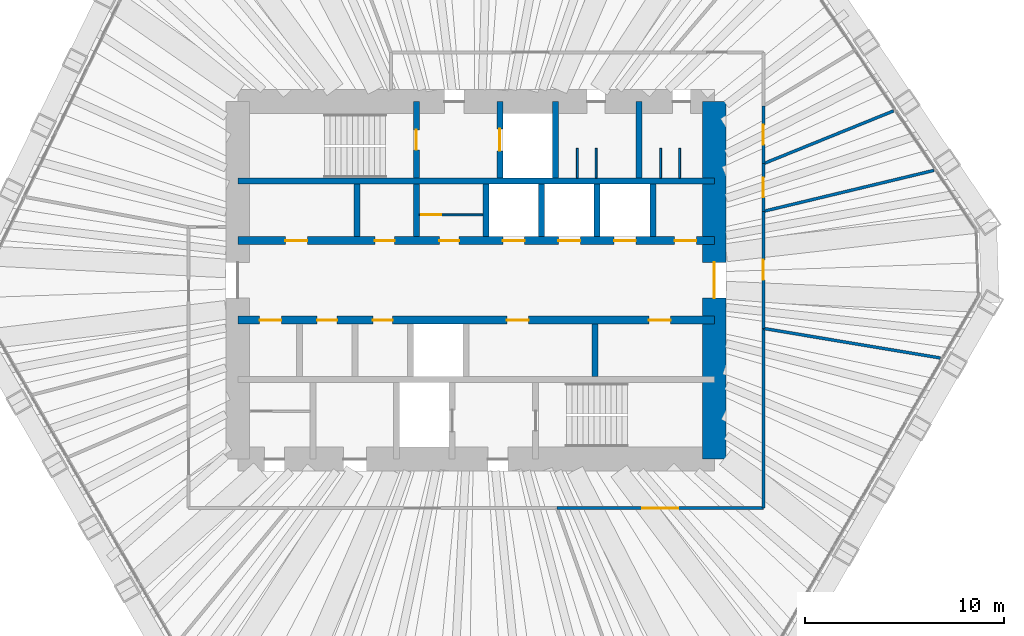
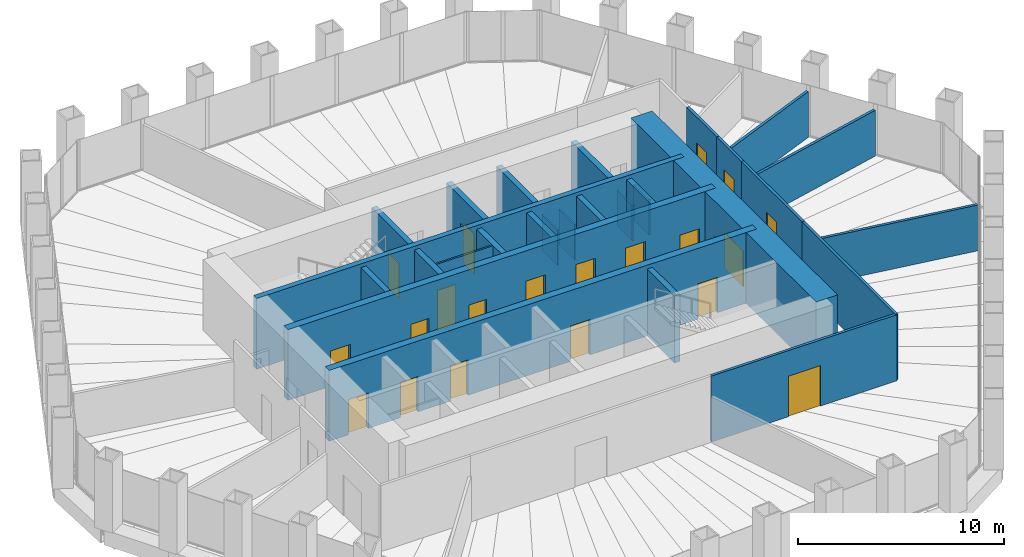
# One storey, part 10 of 12: 28 walls, 20 doors, 20 openings.
"""IFC4 building model written with IfcOpenShell, lengths in metres."""

from ifc_helpers import new_model, si_unit, direction, frame, frame_2d, origin, place, context, subcontext, project, spatial, rectangle, extrude, material, layer, layer_set, type_object, element, fill, save


model = new_model("IFC4")

# Units and contexts
model_context = context("Model", 3, precision=1e-05, world=origin(), true_north=direction((0.0, 1.0)))
body_context = subcontext(model_context, "Body", "Model", "MODEL_VIEW")
ifc_project = project(units=[si_unit("LENGTHUNIT", "METRE"), si_unit("AREAUNIT", "SQUARE_METRE"), si_unit("VOLUMEUNIT", "CUBIC_METRE"), si_unit("PLANEANGLEUNIT", "RADIAN"), si_unit("MASSUNIT", "GRAM", prefix="KILO")], contexts=[model_context])

# Site, building, storey
site_placement = place(None, origin())
site = spatial("IfcSite", under=ifc_project, at=site_placement, CompositionType="ELEMENT")
building_placement = place(site_placement, origin())
building = spatial("IfcBuilding", under=site, at=building_placement, Name="Qingtian Harvest Tower", CompositionType="ELEMENT")
storey_placement = place(building_placement, frame((0.0, 0.0, 251.800048828125)))
storey = spatial("IfcBuildingStorey", under=building, at=storey_placement, Name="L55", CompositionType="ELEMENT", Elevation=251.800048828125)

# Wall
ifc_material_1 = material(Name="Concrete fc' 70 MPa", Category="concrete")
ifc_layer_1 = layer(ifc_material_1, 0.300048828125)
ifc_layer_set_1 = layer_set([ifc_layer_1], Name="Core inner wall RC5 300")
wall_type_1 = type_object("IfcWallType", Name="Core inner wall RC5 300", PredefinedType="SHEAR", material=ifc_layer_set_1)
wall_1_placement = place(storey_placement, frame((-12.0, 5.0, 0.0), z_axis=(0.0, 0.0, 1.0), x_axis=(1.0, 0.0, 0.0)))
element("IfcWall", 1, at=wall_1_placement, inside=storey, type_object=wall_type_1, Name="Core wall IN5 L55", PredefinedType="SHEAR", context=body_context, shape_type="SweptSolid", body=[
    extrude(rectangle(XDim=24.0, YDim=0.300048828125, at=frame_2d((12.0, 0.0))), origin(), (0.0, 0.0, 1.0), 4.199951171875),
])

# Wall, openings, doors
ifc_material_2 = material(Name="Concrete fc' 70 MPa", Category="concrete")
ifc_layer_2 = layer(ifc_material_2, 0.39990234375)
ifc_layer_set_2 = layer_set([ifc_layer_2], Name="Core inner web RC6 400")
wall_type_2 = type_object("IfcWallType", Name="Core inner web RC6 400", PredefinedType="SHEAR", material=ifc_layer_set_2)
wall_2_placement = place(storey_placement, frame((-12.0, 2.0, 0.0), z_axis=(0.0, 0.0, 1.0), x_axis=(1.0, 0.0, 0.0)))
wall_2 = element("IfcWall", 2, at=wall_2_placement, inside=storey, type_object=wall_type_2, Name="Core wall IN2 L55", PredefinedType="SHEAR", context=body_context, shape_type="SweptSolid", body=[
    extrude(rectangle(XDim=24.0, YDim=0.39990234375, at=frame_2d((12.0, 0.0))), origin(), (0.0, 0.0, 1.0), 4.199951171875),
])
opening_1_placement = place(wall_2_placement, frame((2.39990234375, 0.0, 0.0)))
opening_1 = element("IfcOpeningElement", 3, at=opening_1_placement, cuts=wall_2, Name="Opening FD4", PredefinedType="OPENING", context=body_context, shape_type="SweptSolid", body=[
    extrude(rectangle(XDim=1.10009765625, YDim=2.10009765625, at=frame_2d((0.550048828125, 1.050048828125))), frame((0.0, 0.2099609375, 0.0), z_axis=(0.0, -1.0, 0.0), x_axis=(1.0, 0.0, 0.0)), (0.0, 0.0, 1.0), 0.419921875),
])
opening_2_placement = place(wall_2_placement, frame((22.0, 0.0, 0.0)))
opening_2 = element("IfcOpeningElement", 4, at=opening_2_placement, cuts=wall_2, Name="Opening FD4", PredefinedType="OPENING", context=body_context, shape_type="SweptSolid", body=[
    extrude(rectangle(XDim=1.10009765625, YDim=2.10009765625, at=frame_2d((0.550048828125, 1.050048828125))), frame((0.0, 0.2099609375, 0.0), z_axis=(0.0, -1.0, 0.0), x_axis=(1.0, 0.0, 0.0)), (0.0, 0.0, 1.0), 0.419921875),
])
opening_3_placement = place(wall_2_placement, frame((10.14990234375, 0.0, 0.0)))
opening_3 = element("IfcOpeningElement", 5, at=opening_3_placement, cuts=wall_2, Name="Opening FD1", PredefinedType="OPENING", context=body_context, shape_type="SweptSolid", body=[
    extrude(rectangle(XDim=1.0, YDim=2.10009765625, at=frame_2d((0.5, 1.050048828125))), frame((0.0, 0.2099609375, 0.0), z_axis=(0.0, -1.0, 0.0), x_axis=(1.0, 0.0, 0.0)), (0.0, 0.0, 1.0), 0.419921875),
])
opening_4_placement = place(wall_2_placement, frame((6.89990234375, 0.0, 0.0)))
opening_4 = element("IfcOpeningElement", 6, at=opening_4_placement, cuts=wall_2, Name="Opening FD1", PredefinedType="OPENING", context=body_context, shape_type="SweptSolid", body=[
    extrude(rectangle(XDim=1.0, YDim=2.10009765625, at=frame_2d((0.5, 1.050048828125))), frame((0.0, 0.2099609375, 0.0), z_axis=(0.0, -1.0, 0.0), x_axis=(1.0, 0.0, 0.0)), (0.0, 0.0, 1.0), 0.419921875),
])
opening_5_placement = place(wall_2_placement, frame((13.35009765625, 0.0, 0.0)))
opening_5 = element("IfcOpeningElement", 7, at=opening_5_placement, cuts=wall_2, Name="Opening LD1", PredefinedType="OPENING", context=body_context, shape_type="SweptSolid", body=[
    extrude(rectangle(XDim=1.10009765625, YDim=2.39990234375, at=frame_2d((0.550048828125, 1.199951171875))), frame((0.0, 0.2099609375, 0.0), z_axis=(0.0, -1.0, 0.0), x_axis=(1.0, 0.0, 0.0)), (0.0, 0.0, 1.0), 0.419921875),
])
opening_6_placement = place(wall_2_placement, frame((16.14990234375, 0.0, 0.0)))
opening_6 = element("IfcOpeningElement", 8, at=opening_6_placement, cuts=wall_2, Name="Opening LD1", PredefinedType="OPENING", context=body_context, shape_type="SweptSolid", body=[
    extrude(rectangle(XDim=1.10009765625, YDim=2.39990234375, at=frame_2d((0.550048828125, 1.199951171875))), frame((0.0, 0.2099609375, 0.0), z_axis=(0.0, -1.0, 0.0), x_axis=(1.0, 0.0, 0.0)), (0.0, 0.0, 1.0), 0.419921875),
])
opening_7_placement = place(wall_2_placement, frame((18.949951171875, 0.0, 0.0)))
opening_7 = element("IfcOpeningElement", 9, at=opening_7_placement, cuts=wall_2, Name="Opening LD1", PredefinedType="OPENING", context=body_context, shape_type="SweptSolid", body=[
    extrude(rectangle(XDim=1.10009765625, YDim=2.39990234375, at=frame_2d((0.550048828125, 1.199951171875))), frame((0.0, 0.2099609375, 0.0), z_axis=(0.0, -1.0, 0.0), x_axis=(1.0, 0.0, 0.0)), (0.0, 0.0, 1.0), 0.419921875),
])
ifc_material_3 = material(Name="Steel-faced door leaf", Category="steel")
door_type_1 = type_object("IfcDoorType", Name="Fire door FD1 single 1 HR", OperationType="SINGLE_SWING_LEFT", PredefinedType="DOOR", material=ifc_material_3)
door_1_placement = place(opening_3_placement, origin())
door_1 = element("IfcDoor", 10, at=door_1_placement, inside=storey, type_object=door_type_1, Name="STA door L55", OperationType="SINGLE_SWING_LEFT", OverallHeight=2.10009765625, OverallWidth=1.0, PredefinedType="DOOR", context=body_context, shape_type="SweptSolid", body=[
    extrude(rectangle(XDim=1.0, YDim=2.10009765625, at=frame_2d((0.5, 1.050048828125))), frame((0.0, 0.02490234375, 0.0), z_axis=(0.0, -1.0, 0.0), x_axis=(1.0, 0.0, 0.0)), (0.0, 0.0, 1.0), 0.050048828125),
])
fill(opening_3, door_1)
door_2_placement = place(opening_4_placement, origin())
door_2 = element("IfcDoor", 11, at=door_2_placement, inside=storey, type_object=door_type_1, Name="Linen store door L55", OperationType="SINGLE_SWING_LEFT", OverallHeight=2.10009765625, OverallWidth=1.0, PredefinedType="DOOR", context=body_context, shape_type="SweptSolid", body=[
    extrude(rectangle(XDim=1.0, YDim=2.10009765625, at=frame_2d((0.5, 1.050048828125))), frame((0.0, 0.02490234375, 0.0), z_axis=(0.0, -1.0, 0.0), x_axis=(1.0, 0.0, 0.0)), (0.0, 0.0, 1.0), 0.050048828125),
])
fill(opening_4, door_2)
ifc_material_4 = material(Name="Steel-faced door leaf", Category="steel")
door_type_2 = type_object("IfcDoorType", Name="Fire door FD4 single 2 HR", OperationType="SINGLE_SWING_LEFT", PredefinedType="DOOR", material=ifc_material_4)
door_3_placement = place(opening_1_placement, origin())
door_3 = element("IfcDoor", 12, at=door_3_placement, inside=storey, type_object=door_type_2, Name="RA door L55", OperationType="SINGLE_SWING_LEFT", OverallHeight=2.10009765625, OverallWidth=1.10009765625, PredefinedType="DOOR", context=body_context, shape_type="SweptSolid", body=[
    extrude(rectangle(XDim=1.10009765625, YDim=2.10009765625, at=frame_2d((0.550048828125, 1.050048828125))), frame((0.0, 0.02490234375, 0.0), z_axis=(0.0, -1.0, 0.0), x_axis=(1.0, 0.0, 0.0)), (0.0, 0.0, 1.0), 0.050048828125),
])
fill(opening_1, door_3)
door_4_placement = place(opening_2_placement, origin())
door_4 = element("IfcDoor", 13, at=door_4_placement, inside=storey, type_object=door_type_2, Name="AHU door L55", OperationType="SINGLE_SWING_RIGHT", OverallHeight=2.10009765625, OverallWidth=1.10009765625, PredefinedType="DOOR", context=body_context, shape_type="SweptSolid", body=[
    extrude(rectangle(XDim=1.10009765625, YDim=2.10009765625, at=frame_2d((0.550048828125, 1.050048828125))), frame((0.0, 0.02490234375, 0.0), z_axis=(0.0, -1.0, 0.0), x_axis=(1.0, 0.0, 0.0)), (0.0, 0.0, 1.0), 0.050048828125),
])
fill(opening_2, door_4)
ifc_material_5 = material(Name="Stainless steel lift landing door", Category="steel")
door_type_3 = type_object("IfcDoorType", Name="Lift landing door LD1 1 HR", OperationType="DOUBLE_DOOR_SLIDING", PredefinedType="DOOR", material=ifc_material_5)
door_5_placement = place(opening_5_placement, origin())
door_5 = element("IfcDoor", 14, at=door_5_placement, inside=storey, type_object=door_type_3, Name="PLC1 landing door L55", OperationType="DOUBLE_DOOR_SLIDING", OverallHeight=2.39990234375, OverallWidth=1.10009765625, PredefinedType="DOOR", context=body_context, shape_type="SweptSolid", body=[
    extrude(rectangle(XDim=1.10009765625, YDim=2.39990234375, at=frame_2d((0.550048828125, 1.199951171875))), frame((0.0, 0.02490234375, 0.0), z_axis=(0.0, -1.0, 0.0), x_axis=(1.0, 0.0, 0.0)), (0.0, 0.0, 1.0), 0.050048828125),
])
fill(opening_5, door_5)
door_6_placement = place(opening_6_placement, origin())
door_6 = element("IfcDoor", 15, at=door_6_placement, inside=storey, type_object=door_type_3, Name="PLC2 landing door L55", OperationType="DOUBLE_DOOR_SLIDING", OverallHeight=2.39990234375, OverallWidth=1.10009765625, PredefinedType="DOOR", context=body_context, shape_type="SweptSolid", body=[
    extrude(rectangle(XDim=1.10009765625, YDim=2.39990234375, at=frame_2d((0.550048828125, 1.199951171875))), frame((0.0, 0.02490234375, 0.0), z_axis=(0.0, -1.0, 0.0), x_axis=(1.0, 0.0, 0.0)), (0.0, 0.0, 1.0), 0.050048828125),
])
fill(opening_6, door_6)
door_7_placement = place(opening_7_placement, origin())
door_7 = element("IfcDoor", 16, at=door_7_placement, inside=storey, type_object=door_type_3, Name="PLC3 landing door L55", OperationType="DOUBLE_DOOR_SLIDING", OverallHeight=2.39990234375, OverallWidth=1.10009765625, PredefinedType="DOOR", context=body_context, shape_type="SweptSolid", body=[
    extrude(rectangle(XDim=1.10009765625, YDim=2.39990234375, at=frame_2d((0.550048828125, 1.199951171875))), frame((0.0, 0.02490234375, 0.0), z_axis=(0.0, -1.0, 0.0), x_axis=(1.0, 0.0, 0.0)), (0.0, 0.0, 1.0), 0.050048828125),
])
fill(opening_7, door_7)

wall_3_placement = place(storey_placement, frame((-12.0, -2.0, 0.0), z_axis=(0.0, 0.0, 1.0), x_axis=(1.0, 0.0, 0.0)))
wall_3 = element("IfcWall", 17, at=wall_3_placement, inside=storey, type_object=wall_type_2, Name="Core wall IS2 L55", PredefinedType="SHEAR", context=body_context, shape_type="SweptSolid", body=[
    extrude(rectangle(XDim=24.0, YDim=0.39990234375, at=frame_2d((12.0, 0.0))), origin(), (0.0, 0.0, 1.0), 4.199951171875),
])
opening_8_placement = place(wall_3_placement, frame((1.10009765625, 0.0, 0.0)))
opening_8 = element("IfcOpeningElement", 18, at=opening_8_placement, cuts=wall_3, Name="Opening FD4", PredefinedType="OPENING", context=body_context, shape_type="SweptSolid", body=[
    extrude(rectangle(XDim=1.10009765625, YDim=2.10009765625, at=frame_2d((0.550048828125, 1.050048828125))), frame((0.0, 0.2099609375, 0.0), z_axis=(0.0, -1.0, 0.0), x_axis=(1.0, 0.0, 0.0)), (0.0, 0.0, 1.0), 0.419921875),
])
opening_9_placement = place(wall_3_placement, frame((13.550048828125, 0.0, 0.0)))
opening_9 = element("IfcOpeningElement", 19, at=opening_9_placement, cuts=wall_3, Name="Opening FD4", PredefinedType="OPENING", context=body_context, shape_type="SweptSolid", body=[
    extrude(rectangle(XDim=1.10009765625, YDim=2.10009765625, at=frame_2d((0.550048828125, 1.050048828125))), frame((0.0, 0.2099609375, 0.0), z_axis=(0.0, -1.0, 0.0), x_axis=(1.0, 0.0, 0.0)), (0.0, 0.0, 1.0), 0.419921875),
])
opening_10_placement = place(wall_3_placement, frame((20.699951171875, 0.0, 0.0)))
opening_10 = element("IfcOpeningElement", 20, at=opening_10_placement, cuts=wall_3, Name="Opening FD4", PredefinedType="OPENING", context=body_context, shape_type="SweptSolid", body=[
    extrude(rectangle(XDim=1.10009765625, YDim=2.10009765625, at=frame_2d((0.550048828125, 1.050048828125))), frame((0.0, 0.2099609375, 0.0), z_axis=(0.0, -1.0, 0.0), x_axis=(1.0, 0.0, 0.0)), (0.0, 0.0, 1.0), 0.419921875),
])
opening_11_placement = place(wall_3_placement, frame((4.0, 0.0, 0.0)))
opening_11 = element("IfcOpeningElement", 21, at=opening_11_placement, cuts=wall_3, Name="Opening FD1", PredefinedType="OPENING", context=body_context, shape_type="SweptSolid", body=[
    extrude(rectangle(XDim=1.0, YDim=2.10009765625, at=frame_2d((0.5, 1.050048828125))), frame((0.0, 0.2099609375, 0.0), z_axis=(0.0, -1.0, 0.0), x_axis=(1.0, 0.0, 0.0)), (0.0, 0.0, 1.0), 0.419921875),
])
opening_12_placement = place(wall_3_placement, frame((6.800048828125, 0.0, 0.0)))
opening_12 = element("IfcOpeningElement", 22, at=opening_12_placement, cuts=wall_3, Name="Opening FD1", PredefinedType="OPENING", context=body_context, shape_type="SweptSolid", body=[
    extrude(rectangle(XDim=1.0, YDim=2.10009765625, at=frame_2d((0.5, 1.050048828125))), frame((0.0, 0.2099609375, 0.0), z_axis=(0.0, -1.0, 0.0), x_axis=(1.0, 0.0, 0.0)), (0.0, 0.0, 1.0), 0.419921875),
])
door_8_placement = place(opening_11_placement, origin())
door_8 = element("IfcDoor", 23, at=door_8_placement, inside=storey, type_object=door_type_1, Name="IT room door L55", OperationType="SINGLE_SWING_RIGHT", OverallHeight=2.10009765625, OverallWidth=1.0, PredefinedType="DOOR", context=body_context, shape_type="SweptSolid", body=[
    extrude(rectangle(XDim=1.0, YDim=2.10009765625, at=frame_2d((0.5, 1.050048828125))), frame((0.0, 0.02490234375, 0.0), z_axis=(0.0, -1.0, 0.0), x_axis=(1.0, 0.0, 0.0)), (0.0, 0.0, 1.0), 0.050048828125),
])
fill(opening_11, door_8)
door_9_placement = place(opening_12_placement, origin())
door_9 = element("IfcDoor", 24, at=door_9_placement, inside=storey, type_object=door_type_1, Name="Store door L55", OperationType="SINGLE_SWING_RIGHT", OverallHeight=2.10009765625, OverallWidth=1.0, PredefinedType="DOOR", context=body_context, shape_type="SweptSolid", body=[
    extrude(rectangle(XDim=1.0, YDim=2.10009765625, at=frame_2d((0.5, 1.050048828125))), frame((0.0, 0.02490234375, 0.0), z_axis=(0.0, -1.0, 0.0), x_axis=(1.0, 0.0, 0.0)), (0.0, 0.0, 1.0), 0.050048828125),
])
fill(opening_12, door_9)
door_10_placement = place(opening_8_placement, origin())
door_10 = element("IfcDoor", 25, at=door_10_placement, inside=storey, type_object=door_type_2, Name="RB door L55", OperationType="SINGLE_SWING_RIGHT", OverallHeight=2.10009765625, OverallWidth=1.10009765625, PredefinedType="DOOR", context=body_context, shape_type="SweptSolid", body=[
    extrude(rectangle(XDim=1.10009765625, YDim=2.10009765625, at=frame_2d((0.550048828125, 1.050048828125))), frame((0.0, 0.02490234375, 0.0), z_axis=(0.0, -1.0, 0.0), x_axis=(1.0, 0.0, 0.0)), (0.0, 0.0, 1.0), 0.050048828125),
])
fill(opening_8, door_10)
door_11_placement = place(opening_9_placement, origin())
door_11 = element("IfcDoor", 26, at=door_11_placement, inside=storey, type_object=door_type_2, Name="ELEC door L55", OperationType="SINGLE_SWING_LEFT", OverallHeight=2.10009765625, OverallWidth=1.10009765625, PredefinedType="DOOR", context=body_context, shape_type="SweptSolid", body=[
    extrude(rectangle(XDim=1.10009765625, YDim=2.10009765625, at=frame_2d((0.550048828125, 1.050048828125))), frame((0.0, 0.02490234375, 0.0), z_axis=(0.0, -1.0, 0.0), x_axis=(1.0, 0.0, 0.0)), (0.0, 0.0, 1.0), 0.050048828125),
])
fill(opening_9, door_11)
door_12_placement = place(opening_10_placement, origin())
door_12 = element("IfcDoor", 27, at=door_12_placement, inside=storey, type_object=door_type_2, Name="DUCT door L55", OperationType="SINGLE_SWING_LEFT", OverallHeight=2.10009765625, OverallWidth=1.10009765625, PredefinedType="DOOR", context=body_context, shape_type="SweptSolid", body=[
    extrude(rectangle(XDim=1.10009765625, YDim=2.10009765625, at=frame_2d((0.550048828125, 1.050048828125))), frame((0.0, 0.02490234375, 0.0), z_axis=(0.0, -1.0, 0.0), x_axis=(1.0, 0.0, 0.0)), (0.0, 0.0, 1.0), 0.050048828125),
])
fill(opening_10, door_12)

# Wall, opening, door
ifc_material_6 = material(Name="Precast concrete shaft panel", Category="concrete")
ifc_layer_3 = layer(ifc_material_6, 0.300048828125)
ifc_layer_set_3 = layer_set([ifc_layer_3], Name="Core shaft partition SW1 300")
wall_type_3 = type_object("IfcWallType", Name="Core shaft partition SW1 300", PredefinedType="PARTITIONING", material=ifc_layer_set_3)
wall_4_placement = place(storey_placement, frame((-3.0, 5.14990234375, 0.0), z_axis=(0.0, 0.0, 1.0), x_axis=(0.0, 1.0, 0.0)))
wall_4 = element("IfcWall", 28, at=wall_4_placement, inside=storey, type_object=wall_type_3, Name="Core shaft partition XN1 L55", PredefinedType="PARTITIONING", context=body_context, shape_type="SweptSolid", body=[
    extrude(rectangle(XDim=3.85009765625, YDim=0.300048828125, at=frame_2d((1.925048828125, 0.0))), origin(), (0.0, 0.0, 1.0), 3.97998046875),
])
opening_13_placement = place(wall_4_placement, frame((1.425048828125, 0.0, 0.0)))
opening_13 = element("IfcOpeningElement", 29, at=opening_13_placement, cuts=wall_4, Name="Opening FD1", PredefinedType="OPENING", context=body_context, shape_type="SweptSolid", body=[
    extrude(rectangle(XDim=1.0, YDim=2.10009765625, at=frame_2d((0.5, 1.050048828125))), frame((0.0, 0.159912109375, 0.0), z_axis=(0.0, -1.0, 0.0), x_axis=(1.0, 0.0, 0.0)), (0.0, 0.0, 1.0), 0.320068359375),
])
door_13_placement = place(opening_13_placement, origin())
door_13 = element("IfcDoor", 30, at=door_13_placement, inside=storey, type_object=door_type_1, Name="S1 door L55", OperationType="SINGLE_SWING_LEFT", OverallHeight=2.10009765625, OverallWidth=1.0, PredefinedType="DOOR", context=body_context, shape_type="SweptSolid", body=[
    extrude(rectangle(XDim=1.0, YDim=2.10009765625, at=frame_2d((0.5, 1.050048828125))), frame((0.0, 0.02490234375, 0.0), z_axis=(0.0, -1.0, 0.0), x_axis=(1.0, 0.0, 0.0)), (0.0, 0.0, 1.0), 0.050048828125),
])
fill(opening_13, door_13)

wall_5_placement = place(storey_placement, frame((1.199951171875, 5.14990234375, 0.0), z_axis=(0.0, 0.0, 1.0), x_axis=(0.0, 1.0, 0.0)))
wall_5 = element("IfcWall", 31, at=wall_5_placement, inside=storey, type_object=wall_type_3, Name="Core shaft partition XN2 L55", PredefinedType="PARTITIONING", context=body_context, shape_type="SweptSolid", body=[
    extrude(rectangle(XDim=3.85009765625, YDim=0.300048828125, at=frame_2d((1.925048828125, 0.0))), origin(), (0.0, 0.0, 1.0), 3.97998046875),
])
opening_14_placement = place(wall_5_placement, frame((1.375, 0.0, 0.0)))
opening_14 = element("IfcOpeningElement", 32, at=opening_14_placement, cuts=wall_5, Name="Opening LD1", PredefinedType="OPENING", context=body_context, shape_type="SweptSolid", body=[
    extrude(rectangle(XDim=1.10009765625, YDim=2.39990234375, at=frame_2d((0.550048828125, 1.199951171875))), frame((0.0, 0.159912109375, 0.0), z_axis=(0.0, -1.0, 0.0), x_axis=(1.0, 0.0, 0.0)), (0.0, 0.0, 1.0), 0.320068359375),
])
door_14_placement = place(opening_14_placement, origin())
door_14 = element("IfcDoor", 33, at=door_14_placement, inside=storey, type_object=door_type_3, Name="FL1 landing door L55", OperationType="DOUBLE_DOOR_SLIDING", OverallHeight=2.39990234375, OverallWidth=1.10009765625, PredefinedType="DOOR", context=body_context, shape_type="SweptSolid", body=[
    extrude(rectangle(XDim=1.10009765625, YDim=2.39990234375, at=frame_2d((0.550048828125, 1.199951171875))), frame((0.0, 0.02490234375, 0.0), z_axis=(0.0, -1.0, 0.0), x_axis=(1.0, 0.0, 0.0)), (0.0, 0.0, 1.0), 0.050048828125),
])
fill(opening_14, door_14)

# Walls
for number, where, z_axis, x_axis, name in (
    (34, (4.0, 5.14990234375, 0.0), (0.0, 0.0, 1.0), (0.0, 1.0, 0.0), "Core shaft partition XN3 L55"),
    (35, (8.199951171875, 5.14990234375, 0.0), (0.0, 0.0, 1.0), (0.0, 1.0, 0.0), "Core shaft partition XN4 L55"),
):
    element("IfcWall", number, at=place(storey_placement, frame(where, z_axis=z_axis, x_axis=x_axis)), inside=storey, type_object=wall_type_3, Name=name, PredefinedType="PARTITIONING", context=body_context, shape_type="SweptSolid", body=[
        extrude(rectangle(XDim=3.85009765625, YDim=0.300048828125, at=frame_2d((1.925048828125, 0.0))), origin(), (0.0, 0.0, 1.0), 3.97998046875),
    ])
for number, where, z_axis, x_axis, name in (
    (36, (-6.0, 2.199951171875, 0.0), (0.0, 0.0, 1.0), (0.0, 1.0, 0.0), "Core shaft partition XA1 L55"),
    (37, (-3.0, 2.199951171875, 0.0), (0.0, 0.0, 1.0), (0.0, 1.0, 0.0), "Core shaft partition XA2 L55"),
    (38, (0.5, 2.199951171875, 0.0), (0.0, 0.0, 1.0), (0.0, 1.0, 0.0), "Core shaft partition XA3 L55"),
    (39, (3.300048828125, 2.199951171875, 0.0), (0.0, 0.0, 1.0), (0.0, 1.0, 0.0), "Core shaft partition XA4 L55"),
    (40, (6.10009765625, 2.199951171875, 0.0), (0.0, 0.0, 1.0), (0.0, 1.0, 0.0), "Core shaft partition XA5 L55"),
    (41, (8.89990234375, 2.199951171875, 0.0), (0.0, 0.0, 1.0), (0.0, 1.0, 0.0), "Core shaft partition XA6 L55"),
    (42, (6.0, -4.85009765625, 0.0), (0.0, 0.0, 1.0), (0.0, 1.0, 0.0), "Core shaft partition XB5 L55"),
):
    element("IfcWall", number, at=place(storey_placement, frame(where, z_axis=z_axis, x_axis=x_axis)), inside=storey, type_object=wall_type_3, Name=name, PredefinedType="PARTITIONING", context=body_context, shape_type="SweptSolid", body=[
        extrude(rectangle(XDim=2.650146484375, YDim=0.300048828125, at=frame_2d((1.3251953125, 0.0))), origin(), (0.0, 0.0, 1.0), 3.97998046875),
    ])

# Wall, opening, door
ifc_material_7 = material(Name="Concrete fc' 70 MPa", Category="concrete")
ifc_layer_4 = layer(ifc_material_7, 1.199951171875)
ifc_layer_set_4 = layer_set([ifc_layer_4], Name="Core wall RC2 1200")
wall_type_4 = type_object("IfcWallType", Name="Core wall RC2 1200", PredefinedType="SHEAR", material=ifc_layer_set_4)
wall_6_placement = place(storey_placement, frame((12.0, -9.0, 0.0), z_axis=(0.0, 0.0, 1.0), x_axis=(0.0, 1.0, 0.0)))
wall_6 = element("IfcWall", 43, at=wall_6_placement, inside=storey, type_object=wall_type_4, Name="Core wall CE L55", PredefinedType="SHEAR", context=body_context, shape_type="SweptSolid", body=[
    extrude(rectangle(XDim=18.0, YDim=1.199951171875, at=frame_2d((9.0, 0.0))), origin(), (0.0, 0.0, 1.0), 4.199951171875),
])
opening_15_placement = place(wall_6_placement, frame((8.10009765625, 0.0, 0.0)))
opening_15 = element("IfcOpeningElement", 44, at=opening_15_placement, cuts=wall_6, Name="Opening FD2", PredefinedType="OPENING", context=body_context, shape_type="SweptSolid", body=[
    extrude(rectangle(XDim=1.800048828125, YDim=2.10009765625, at=frame_2d((0.89990234375, 1.050048828125))), frame((0.0, 0.60986328125, 0.0), z_axis=(0.0, -1.0, 0.0), x_axis=(1.0, 0.0, 0.0)), (0.0, 0.0, 1.0), 1.219970703125),
])
ifc_material_8 = material(Name="Steel-faced door leaf", Category="steel")
door_type_4 = type_object("IfcDoorType", Name="Fire door FD2 double 1 HR", OperationType="DOUBLE_DOOR_DOUBLE_SWING", PredefinedType="DOOR", material=ifc_material_8)
door_15_placement = place(opening_15_placement, origin())
door_15 = element("IfcDoor", 45, at=door_15_placement, inside=storey, type_object=door_type_4, Name="LOBBY-E door L55", OperationType="DOUBLE_DOOR_DOUBLE_SWING", OverallHeight=2.10009765625, OverallWidth=1.800048828125, PredefinedType="DOOR", context=body_context, shape_type="SweptSolid", body=[
    extrude(rectangle(XDim=1.800048828125, YDim=2.10009765625, at=frame_2d((0.89990234375, 1.050048828125))), frame((0.0, 0.02490234375, 0.0), z_axis=(0.0, -1.0, 0.0), x_axis=(1.0, 0.0, 0.0)), (0.0, 0.0, 1.0), 0.050048828125),
])
fill(opening_15, door_15)

# Walls
ifc_material_9 = material(Name="Gypsum board on steel studs", Category="steel")
ifc_layer_5 = layer(ifc_material_9, 0.14990234375)
ifc_layer_set_5 = layer_set([ifc_layer_5], Name="Partition PT1 150")
wall_type_5 = type_object("IfcWallType", Name="Partition PT1 150", PredefinedType="PARTITIONING", material=ifc_layer_set_5)
wall_7_placement = place(storey_placement, frame((23.383056640625, -3.912109375, 0.0), z_axis=(0.0, 0.0, 1.0), x_axis=(-0.986293651891, 0.164999491631, 0.0)))
element("IfcWall", 46, at=wall_7_placement, inside=storey, type_object=wall_type_5, Name="Office suite wall L55", PredefinedType="PARTITIONING", context=body_context, shape_type="SweptSolid", body=[
    extrude(rectangle(XDim=9.03173828125, YDim=0.14990234375, at=frame_2d((4.515869140625, 0.0))), origin(), (0.0, 0.0, 1.0), 2.719970703125),
])
wall_8_placement = place(storey_placement, frame((14.47509765625, -2.421875, 0.0), z_axis=(0.0, 0.0, 1.0), x_axis=(0.0, -1.0, 0.0)))
element("IfcWall", 47, at=wall_8_placement, inside=storey, type_object=wall_type_5, Name="Office suite wall L55", PredefinedType="PARTITIONING", context=body_context, shape_type="SweptSolid", body=[
    extrude(rectangle(XDim=9.05322265625, YDim=0.14990234375, at=frame_2d((4.526611328125, 0.0))), origin(), (0.0, 0.0, 1.0), 3.919921875),
])

# Wall, opening, door
wall_9_placement = place(storey_placement, frame((14.47509765625, -11.47509765625, 0.0), z_axis=(0.0, 0.0, 1.0), x_axis=(-1.0, 0.0, 0.0)))
wall_9 = element("IfcWall", 48, at=wall_9_placement, inside=storey, type_object=wall_type_5, Name="Office suite wall L55", PredefinedType="PARTITIONING", context=body_context, shape_type="SweptSolid", body=[
    extrude(rectangle(XDim=10.405517578125, YDim=0.14990234375, at=frame_2d((5.20263671875, 0.0))), origin(), (0.0, 0.0, 1.0), 3.919921875),
])
opening_16_placement = place(wall_9_placement, frame((4.302734375, 0.0, 0.0)))
opening_16 = element("IfcOpeningElement", 49, at=opening_16_placement, cuts=wall_9, Name="Opening D3", PredefinedType="OPENING", context=body_context, shape_type="SweptSolid", body=[
    extrude(rectangle(XDim=1.800048828125, YDim=2.39990234375, at=frame_2d((0.89990234375, 1.199951171875))), frame((0.0, 0.0849609375, 0.0), z_axis=(0.0, -1.0, 0.0), x_axis=(1.0, 0.0, 0.0)), (0.0, 0.0, 1.0), 0.169921875),
])
ifc_material_10 = material(Name="Laminated timber door leaf", Category="wood")
door_type_5 = type_object("IfcDoorType", Name="Room door D3 double", OperationType="DOUBLE_DOOR_DOUBLE_SWING", PredefinedType="DOOR", material=ifc_material_10)
door_16_placement = place(opening_16_placement, origin())
door_16 = element("IfcDoor", 50, at=door_16_placement, inside=storey, type_object=door_type_5, Name="Office suite door L55", OperationType="DOUBLE_DOOR_DOUBLE_SWING", OverallHeight=2.39990234375, OverallWidth=1.800048828125, PredefinedType="DOOR", context=body_context, shape_type="SweptSolid", body=[
    extrude(rectangle(XDim=1.800048828125, YDim=2.39990234375, at=frame_2d((0.89990234375, 1.199951171875))), frame((0.0, 0.02490234375, 0.0), z_axis=(0.0, -1.0, 0.0), x_axis=(1.0, 0.0, 0.0)), (0.0, 0.0, 1.0), 0.050048828125),
])
fill(opening_16, door_16)

wall_10_placement = place(storey_placement, frame((14.47509765625, 8.783447265625, 0.0), z_axis=(0.0, 0.0, 1.0), x_axis=(0.0, -1.0, 0.0)))
wall_10 = element("IfcWall", 51, at=wall_10_placement, inside=storey, type_object=wall_type_5, Name="Print room wall L55", PredefinedType="PARTITIONING", context=body_context, shape_type="SweptSolid", body=[
    extrude(rectangle(XDim=2.90966796875, YDim=0.14990234375, at=frame_2d((1.454833984375, 0.0))), origin(), (0.0, 0.0, 1.0), 3.919921875),
])
opening_17_placement = place(wall_10_placement, frame((0.954833984375, 0.0, 0.0)))
opening_17 = element("IfcOpeningElement", 52, at=opening_17_placement, cuts=wall_10, Name="Opening D2", PredefinedType="OPENING", context=body_context, shape_type="SweptSolid", body=[
    extrude(rectangle(XDim=1.0, YDim=2.39990234375, at=frame_2d((0.5, 1.199951171875))), frame((0.0, 0.0849609375, 0.0), z_axis=(0.0, -1.0, 0.0), x_axis=(1.0, 0.0, 0.0)), (0.0, 0.0, 1.0), 0.169921875),
])
ifc_material_11 = material(Name="Laminated timber door leaf", Category="wood")
door_type_6 = type_object("IfcDoorType", Name="Room door D2 single", OperationType="SINGLE_SWING_LEFT", PredefinedType="DOOR", material=ifc_material_11)
door_17_placement = place(opening_17_placement, origin())
door_17 = element("IfcDoor", 53, at=door_17_placement, inside=storey, type_object=door_type_6, Name="Print room door L55", OperationType="SINGLE_SWING_RIGHT", OverallHeight=2.39990234375, OverallWidth=1.0, PredefinedType="DOOR", context=body_context, shape_type="SweptSolid", body=[
    extrude(rectangle(XDim=1.0, YDim=2.39990234375, at=frame_2d((0.5, 1.199951171875))), frame((0.0, 0.02490234375, 0.0), z_axis=(0.0, -1.0, 0.0), x_axis=(1.0, 0.0, 0.0)), (0.0, 0.0, 1.0), 0.050048828125),
])
fill(opening_17, door_17)

# Wall
wall_11_placement = place(storey_placement, frame((21.02587890625, 8.531982421875, 0.0), z_axis=(0.0, 0.0, 1.0), x_axis=(-0.926617028548, -0.376006492503, 0.0)))
element("IfcWall", 54, at=wall_11_placement, inside=storey, type_object=wall_type_5, Name="Store room wall L55", PredefinedType="PARTITIONING", context=body_context, shape_type="SweptSolid", body=[
    extrude(rectangle(XDim=7.069580078125, YDim=0.14990234375, at=frame_2d((3.53466796875, 0.0))), origin(), (0.0, 0.0, 1.0), 2.719970703125),
])

# Wall, opening, door
wall_12_placement = place(storey_placement, frame((14.47509765625, 5.873779296875, 0.0), z_axis=(0.0, 0.0, 1.0), x_axis=(0.0, -1.0, 0.0)))
wall_12 = element("IfcWall", 55, at=wall_12_placement, inside=storey, type_object=wall_type_5, Name="Store room wall L55", PredefinedType="PARTITIONING", context=body_context, shape_type="SweptSolid", body=[
    extrude(rectangle(XDim=2.399169921875, YDim=0.14990234375, at=frame_2d((1.19970703125, 0.0))), origin(), (0.0, 0.0, 1.0), 3.919921875),
])
opening_18_placement = place(wall_12_placement, frame((0.699462890625, 0.0, 0.0)))
opening_18 = element("IfcOpeningElement", 56, at=opening_18_placement, cuts=wall_12, Name="Opening D2", PredefinedType="OPENING", context=body_context, shape_type="SweptSolid", body=[
    extrude(rectangle(XDim=1.0, YDim=2.39990234375, at=frame_2d((0.5, 1.199951171875))), frame((0.0, 0.0849609375, 0.0), z_axis=(0.0, -1.0, 0.0), x_axis=(1.0, 0.0, 0.0)), (0.0, 0.0, 1.0), 0.169921875),
])
door_18_placement = place(opening_18_placement, origin())
door_18 = element("IfcDoor", 57, at=door_18_placement, inside=storey, type_object=door_type_6, Name="Store room door L55", OperationType="SINGLE_SWING_RIGHT", OverallHeight=2.39990234375, OverallWidth=1.0, PredefinedType="DOOR", context=body_context, shape_type="SweptSolid", body=[
    extrude(rectangle(XDim=1.0, YDim=2.39990234375, at=frame_2d((0.5, 1.199951171875))), frame((0.0, 0.02490234375, 0.0), z_axis=(0.0, -1.0, 0.0), x_axis=(1.0, 0.0, 0.0)), (0.0, 0.0, 1.0), 0.050048828125),
])
fill(opening_18, door_18)

# Wall
wall_13_placement = place(storey_placement, frame((23.052978515625, 5.53369140625, 0.0), z_axis=(0.0, 0.0, 1.0), x_axis=(-0.972377252501, -0.233414821335, 0.0)))
element("IfcWall", 58, at=wall_13_placement, inside=storey, type_object=wall_type_5, Name="Meeting room wall L55", PredefinedType="PARTITIONING", context=body_context, shape_type="SweptSolid", body=[
    extrude(rectangle(XDim=8.821533203125, YDim=0.14990234375, at=frame_2d((4.41064453125, 0.0))), origin(), (0.0, 0.0, 1.0), 2.719970703125),
])

# Wall, opening, door
wall_14_placement = place(storey_placement, frame((14.47509765625, 3.474609375, 0.0), z_axis=(0.0, 0.0, 1.0), x_axis=(0.0, -1.0, 0.0)))
wall_14 = element("IfcWall", 59, at=wall_14_placement, inside=storey, type_object=wall_type_5, Name="Meeting room wall L55", PredefinedType="PARTITIONING", context=body_context, shape_type="SweptSolid", body=[
    extrude(rectangle(XDim=5.896484375, YDim=0.14990234375, at=frame_2d((2.9482421875, 0.0))), origin(), (0.0, 0.0, 1.0), 3.919921875),
])
opening_19_placement = place(wall_14_placement, frame((2.4482421875, 0.0, 0.0)))
opening_19 = element("IfcOpeningElement", 60, at=opening_19_placement, cuts=wall_14, Name="Opening D2", PredefinedType="OPENING", context=body_context, shape_type="SweptSolid", body=[
    extrude(rectangle(XDim=1.0, YDim=2.39990234375, at=frame_2d((0.5, 1.199951171875))), frame((0.0, 0.0849609375, 0.0), z_axis=(0.0, -1.0, 0.0), x_axis=(1.0, 0.0, 0.0)), (0.0, 0.0, 1.0), 0.169921875),
])
door_19_placement = place(opening_19_placement, origin())
door_19 = element("IfcDoor", 61, at=door_19_placement, inside=storey, type_object=door_type_6, Name="Meeting room door L55", OperationType="SINGLE_SWING_RIGHT", OverallHeight=2.39990234375, OverallWidth=1.0, PredefinedType="DOOR", context=body_context, shape_type="SweptSolid", body=[
    extrude(rectangle(XDim=1.0, YDim=2.39990234375, at=frame_2d((0.5, 1.199951171875))), frame((0.0, 0.02490234375, 0.0), z_axis=(0.0, -1.0, 0.0), x_axis=(1.0, 0.0, 0.0)), (0.0, 0.0, 1.0), 0.050048828125),
])
fill(opening_19, door_19)

ifc_material_12 = material(Name="Concrete block partition", Category="concrete")
ifc_layer_6 = layer(ifc_material_12, 0.10009765625)
ifc_layer_set_6 = layer_set([ifc_layer_6], Name="Store partition PT3 100")
wall_type_6 = type_object("IfcWallType", Name="Store partition PT3 100", PredefinedType="PARTITIONING", material=ifc_layer_set_6)
wall_15_placement = place(storey_placement, frame((-2.85009765625, 3.300048828125, 0.0), z_axis=(0.0, 0.0, 1.0), x_axis=(1.0, 0.0, 0.0)))
wall_15 = element("IfcWall", 62, at=wall_15_placement, inside=storey, type_object=wall_type_6, Name="Linen store wall L55", PredefinedType="PARTITIONING", context=body_context, shape_type="SweptSolid", body=[
    extrude(rectangle(XDim=3.2001953125, YDim=0.10009765625, at=frame_2d((1.60009765625, 0.0))), origin(), (0.0, 0.0, 1.0), 3.97998046875),
])
opening_20_placement = place(wall_15_placement, frame((0.10009765625, 0.0, 0.0)))
opening_20 = element("IfcOpeningElement", 63, at=opening_20_placement, cuts=wall_15, Name="Opening D2", PredefinedType="OPENING", context=body_context, shape_type="SweptSolid", body=[
    extrude(rectangle(XDim=1.0, YDim=2.39990234375, at=frame_2d((0.5, 1.199951171875))), frame((0.0, 0.06005859375, 0.0), z_axis=(0.0, -1.0, 0.0), x_axis=(1.0, 0.0, 0.0)), (0.0, 0.0, 1.0), 0.1201171875),
])
door_20_placement = place(opening_20_placement, origin())
door_20 = element("IfcDoor", 64, at=door_20_placement, inside=storey, type_object=door_type_6, Name="Linen store door L55", OperationType="SINGLE_SWING_RIGHT", OverallHeight=2.39990234375, OverallWidth=1.0, PredefinedType="DOOR", context=body_context, shape_type="SweptSolid", body=[
    extrude(rectangle(XDim=1.0, YDim=2.39990234375, at=frame_2d((0.5, 1.199951171875))), frame((0.0, 0.02490234375, 0.0), z_axis=(0.0, -1.0, 0.0), x_axis=(1.0, 0.0, 0.0)), (0.0, 0.0, 1.0), 0.050048828125),
])
fill(opening_20, door_20)

# Walls
ifc_material_13 = material(Name="Compact laminate cubicle partition", Category="plastic")
ifc_layer_7 = layer(ifc_material_13, 0.10009765625)
ifc_layer_set_7 = layer_set([ifc_layer_7], Name="WC cubicle partition WP1 100")
wall_type_7 = type_object("IfcWallType", Name="WC cubicle partition WP1 100", PredefinedType="PARTITIONING", material=ifc_layer_set_7)
for number, where, z_axis, x_axis, name in (
    (65, (5.10009765625, 5.14990234375, 0.0), (0.0, 0.0, 1.0), (0.0, 1.0, 0.0), "WC cubicle partition WCM L55"),
    (66, (6.050048828125, 5.14990234375, 0.0), (0.0, 0.0, 1.0), (0.0, 1.0, 0.0), "WC cubicle partition WCM L55"),
    (67, (9.300048828125, 5.14990234375, 0.0), (0.0, 0.0, 1.0), (0.0, 1.0, 0.0), "WC cubicle partition WCF L55"),
    (68, (10.25, 5.14990234375, 0.0), (0.0, 0.0, 1.0), (0.0, 1.0, 0.0), "WC cubicle partition WCF L55"),
):
    element("IfcWall", number, at=place(storey_placement, frame(where, z_axis=z_axis, x_axis=x_axis)), inside=storey, type_object=wall_type_7, Name=name, PredefinedType="PARTITIONING", context=body_context, shape_type="SweptSolid", body=[
        extrude(rectangle(XDim=1.5, YDim=0.10009765625, at=frame_2d((0.75, 0.0))), origin(), (0.0, 0.0, 1.0), 2.099853515625),
    ])

save(model, "model.ifc")
